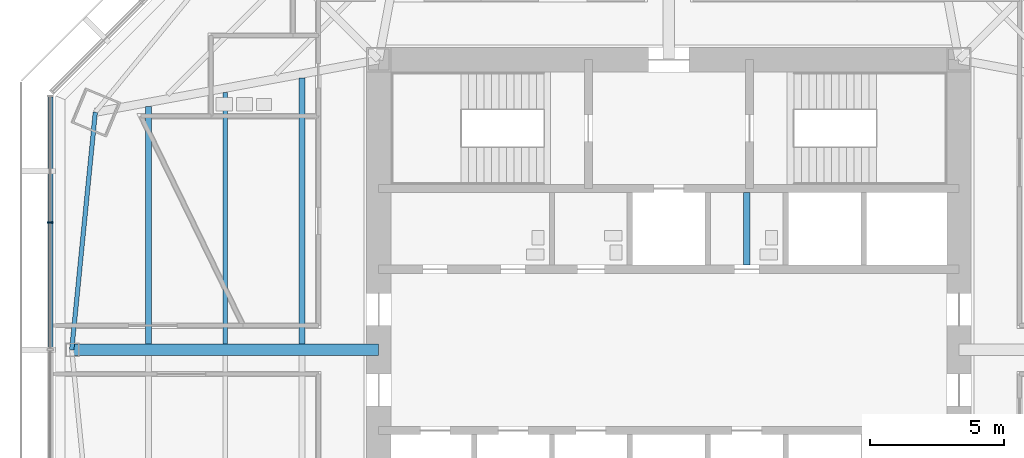
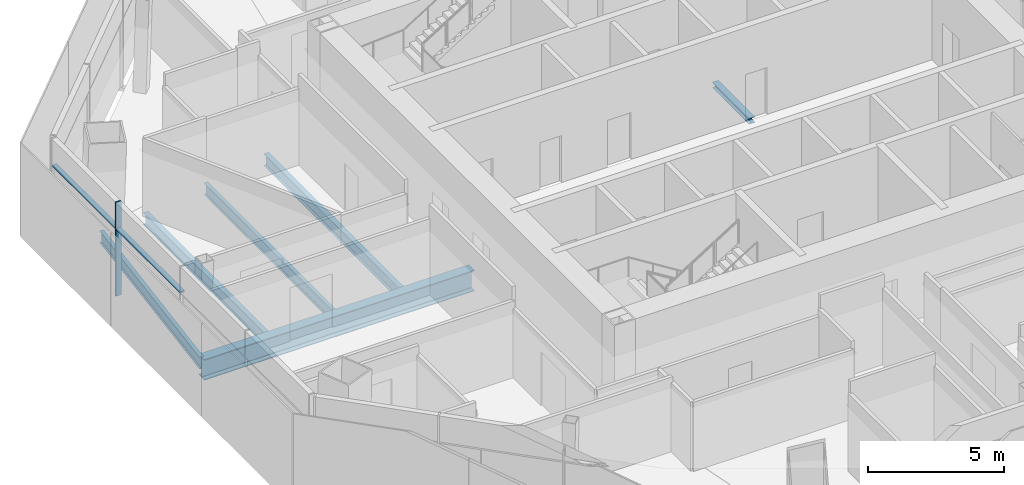
# One storey, part 3 of 15: 6 beams, 3 members, 1 element without a shape of its own.
"""IFC4 building model written with IfcOpenShell, lengths in metres."""

from ifc_helpers import new_model, si_unit, direction, frame, origin, origin_2d, place, context, subcontext, project, spatial, rectangle, i_section, extrude, source, transform, mapped, material, material_profile, profile_set, type_object, type_shapes, element, aggregate, save


model = new_model("IFC4")

# Units and contexts
model_context = context("Model", 3, precision=1e-05, world=origin(), true_north=direction((0.0, 1.0)))
body_context = subcontext(model_context, "Body", "Model", "MODEL_VIEW")
ifc_project = project(units=[si_unit("LENGTHUNIT", "METRE"), si_unit("AREAUNIT", "SQUARE_METRE"), si_unit("VOLUMEUNIT", "CUBIC_METRE"), si_unit("PLANEANGLEUNIT", "RADIAN"), si_unit("MASSUNIT", "GRAM", prefix="KILO")], contexts=[model_context])

# Site, building, storey
site_placement = place(None, origin())
site = spatial("IfcSite", under=ifc_project, at=site_placement, CompositionType="ELEMENT")
building_placement = place(site_placement, origin())
building = spatial("IfcBuilding", under=site, at=building_placement, Name="Mashrafa Tower", CompositionType="ELEMENT")
storey_placement = place(building_placement, frame((0.0, 0.0, 176.39990234375)))
storey = spatial("IfcBuildingStorey", under=building, at=storey_placement, Name="L40", CompositionType="ELEMENT", Elevation=176.39990234375)

# Beams
ifc_material_1 = material(Name="Steel ASTM A992", Category="steel")
ifc_material_profile_1 = material_profile(ifc_material_1, i_section(OverallWidth=0.1650390625, OverallDepth=0.52587890625, WebThickness=0.0087890625, FlangeThickness=0.011474609375, FilletRadius=0.0126953125, at=origin_2d()), Name="W21X44")
ifc_profile_set_1 = profile_set([ifc_material_profile_1], Name="Steel ASTM A992")
beam_type_1 = type_object("IfcBeamType", Name="Beam W21X44", PredefinedType="BEAM", material=ifc_profile_set_1)
beam_1_placement = place(storey_placement, frame((-16.5146484375, 0.20947265625, -0.427734375), z_axis=(0.0, 1.0, 0.0), x_axis=(-1.0, 0.0, 0.0)))
element("IfcBeam", 1, at=beam_1_placement, inside=storey, type_object=beam_type_1, Name="Floor beam L40 005", PredefinedType="BEAM", context=body_context, shape_type="SweptSolid", body=[
    extrude(i_section(OverallWidth=0.1650390625, OverallDepth=0.52587890625, WebThickness=0.0087890625, FlangeThickness=0.011474609375, FilletRadius=0.0126953125, at=origin_2d()), origin(), (0.0, 0.0, 1.0), 9.374755859375),
])
beam_2_placement = place(storey_placement, frame((-21.35107421875, 8.843994140625, -0.427734375), z_axis=(-0.098810141474, -0.99510630384, 0.0), x_axis=(0.99510630384, -0.098810141474, 0.0)))
element("IfcBeam", 2, at=beam_2_placement, inside=storey, type_object=beam_type_1, Name="Spandrel beam L40 059", PredefinedType="BEAM", context=body_context, shape_type="SweptSolid", body=[
    extrude(i_section(OverallWidth=0.1650390625, OverallDepth=0.52587890625, WebThickness=0.0087890625, FlangeThickness=0.011474609375, FilletRadius=0.0126953125, at=origin_2d()), origin(), (0.0, 0.0, 1.0), 8.887451171875),
])
ifc_material_2 = material(Name="Steel ASTM A992", Category="steel")
ifc_material_profile_2 = material_profile(ifc_material_2, i_section(OverallWidth=0.209228515625, OverallDepth=0.533447265625, WebThickness=0.01025390625, FlangeThickness=0.015625, FilletRadius=0.012939453125, at=origin_2d()), Name="W21X62")
ifc_profile_set_2 = profile_set([ifc_material_profile_2], Name="Steel ASTM A992")
beam_type_2 = type_object("IfcBeamType", Name="Beam W21X62", PredefinedType="BEAM", material=ifc_profile_set_2)
beam_3_placement = place(storey_placement, frame((-19.3720703125, 0.20947265625, -0.431640625), z_axis=(0.0, 1.0, 0.0), x_axis=(-1.0, 0.0, 0.0)))
element("IfcBeam", 3, at=beam_3_placement, inside=storey, type_object=beam_type_2, Name="Floor beam L40 002", PredefinedType="BEAM", context=body_context, shape_type="SweptSolid", body=[
    extrude(i_section(OverallWidth=0.209228515625, OverallDepth=0.533447265625, WebThickness=0.01025390625, FlangeThickness=0.015625, FilletRadius=0.012939453125, at=origin_2d()), origin(), (0.0, 0.0, 1.0), 8.844970703125),
])
beam_4_placement = place(storey_placement, frame((-13.6572265625, 0.20947265625, -0.431640625), z_axis=(0.0, 1.0, 0.0), x_axis=(-1.0, 0.0, 0.0)))
element("IfcBeam", 4, at=beam_4_placement, inside=storey, type_object=beam_type_2, Name="Floor beam L40 010", PredefinedType="BEAM", context=body_context, shape_type="SweptSolid", body=[
    extrude(i_section(OverallWidth=0.209228515625, OverallDepth=0.533447265625, WebThickness=0.01025390625, FlangeThickness=0.015625, FilletRadius=0.012939453125, at=origin_2d()), origin(), (0.0, 0.0, 1.0), 9.904541015625),
])
ifc_material_3 = material(Name="Steel ASTM A992", Category="steel")
ifc_material_profile_3 = material_profile(ifc_material_3, i_section(OverallWidth=0.419189453125, OverallDepth=0.927001953125, WebThickness=0.019287109375, FlangeThickness=0.031982421875, FilletRadius=0.020263671875, at=origin_2d()), Name="W36X231")
ifc_profile_set_3 = profile_set([ifc_material_profile_3], Name="Steel ASTM A992")
beam_type_3 = type_object("IfcBeamType", Name="Beam W36X231", PredefinedType="BEAM", material=ifc_profile_set_3)
beam_5_placement = place(storey_placement, frame((-10.800048828125, 0.0, -0.62841796875), z_axis=(-1.0, 0.0, 0.0), x_axis=(0.0, -1.0, 0.0)))
element("IfcBeam", 5, at=beam_5_placement, inside=storey, type_object=beam_type_3, Name="Radial girder L40 044", PredefinedType="BEAM", context=body_context, shape_type="SweptSolid", body=[
    extrude(i_section(OverallWidth=0.419189453125, OverallDepth=0.927001953125, WebThickness=0.019287109375, FlangeThickness=0.031982421875, FilletRadius=0.020263671875, at=origin_2d()), origin(), (0.0, 0.0, 1.0), 11.42919921875),
])
ifc_material_4 = material(Name="Steel ASTM A992", Category="steel")
ifc_material_profile_4 = material_profile(ifc_material_4, i_section(OverallWidth=0.25390625, OverallDepth=0.25390625, WebThickness=0.008544921875, FlangeThickness=0.01416015625, FilletRadius=0.010009765625, at=origin_2d()), Name="W10X49")
ifc_profile_set_4 = profile_set([ifc_material_profile_4], Name="Steel ASTM A992")
beam_type_4 = type_object("IfcBeamType", Name="Hoistway beam W10X49", PredefinedType="BEAM", material=ifc_profile_set_4)
beam_6_placement = place(storey_placement, frame((2.89990234375, 3.14990234375, -0.2919921875), z_axis=(0.0, 1.0, 0.0), x_axis=(-1.0, 0.0, 0.0)))
element("IfcBeam", 6, at=beam_6_placement, inside=storey, type_object=beam_type_4, Name="Hoistway beam L40 06", PredefinedType="BEAM", context=body_context, shape_type="SweptSolid", body=[
    extrude(i_section(OverallWidth=0.25390625, OverallDepth=0.25390625, WebThickness=0.008544921875, FlangeThickness=0.01416015625, FilletRadius=0.010009765625, at=origin_2d()), origin(), (0.0, 0.0, 1.0), 2.7001953125),
])

# Curtain wall, members
ifc_material_5 = material(Name="Unitised aluminium curtain wall", Category="aluminium")
curtain_wall_type = type_object("IfcCurtainWallType", Name="Office curtain wall, zone 2 CW-B 225 deep", PredefinedType="NOTDEFINED", material=ifc_material_5)
curtain_wall_placement = place(storey_placement, origin())
curtain_wall = element("IfcCurtainWall", 7, at=curtain_wall_placement, inside=storey, type_object=curtain_wall_type, Name="Office curtain wall, zone 2 L40 west", PredefinedType="NOTDEFINED")
ifc_material_6 = material(Name="Extruded aluminium mullion", Category="aluminium")
ifc_material_profile_5 = material_profile(ifc_material_6, rectangle(XDim=0.22509765625, YDim=0.06494140625, at=origin_2d()), Name="Mullion 65x225")
ifc_profile_set_5 = profile_set([ifc_material_profile_5], Name="Extruded aluminium mullion")
member_type_1 = type_object("IfcMemberType", Name="Mullion CW-B 65 x 225", PredefinedType="MULLION", material=ifc_profile_set_5)
shared_shape_1 = source(origin(), body_context, "Body", "SweptSolid", [
    extrude(rectangle(XDim=0.22509765625, YDim=0.06494140625, at=origin_2d()), origin(), (0.0, 0.0, 1.0), 4.2001953125),
])
type_shapes(member_type_1, [shared_shape_1])
member_1_placement = place(storey_placement, frame((-23.024658203125, 4.740234375, 0.0), z_axis=(0.0, 0.0, 1.0), x_axis=(1.0, 0.0, 0.0)))
member_1 = element("IfcMember", 8, at=member_1_placement, type_object=member_type_1, Name="CW-B mullion 2", PredefinedType="MULLION", context=body_context, shape_type="MappedRepresentation", body=[
    mapped(shared_shape_1, transform((0.0, 0.0, 0.0))),
])
ifc_material_7 = material(Name="Extruded aluminium transom", Category="aluminium")
ifc_material_profile_6 = material_profile(ifc_material_7, rectangle(XDim=0.179931640625, YDim=0.080078125, at=origin_2d()), Name="Transom 80x180")
ifc_profile_set_6 = profile_set([ifc_material_profile_6], Name="Extruded aluminium transom")
member_type_2 = type_object("IfcMemberType", Name="Transom CW-B 80 x 180", PredefinedType="MULLION", material=ifc_profile_set_6)
shared_shape_2 = source(origin(), body_context, "Body", "SweptSolid", [
    extrude(rectangle(XDim=0.179931640625, YDim=0.080078125, at=origin_2d()), origin(), (0.0, 0.0, 1.0), 4.642822265625),
])
member_2_placement = place(storey_placement, frame((-23.024658203125, 9.41552734375, 3.0), z_axis=(0.0, -1.0, 0.0), x_axis=(1.0, 0.0, 0.0)))
member_2 = element("IfcMember", 9, at=member_2_placement, type_object=member_type_2, Name="CW-B transom 1", PredefinedType="MULLION", context=body_context, shape_type="MappedRepresentation", body=[
    mapped(shared_shape_2, transform((0.0, 0.0, 0.0))),
])
shared_shape_3 = source(origin(), body_context, "Body", "SweptSolid", [
    extrude(rectangle(XDim=0.179931640625, YDim=0.080078125, at=origin_2d()), origin(), (0.0, 0.0, 1.0), 4.67529296875),
])
type_shapes(member_type_2, [shared_shape_2, shared_shape_3])
member_3_placement = place(storey_placement, frame((-23.024658203125, 4.707763671875, 3.0), z_axis=(0.0, -1.0, 0.0), x_axis=(1.0, 0.0, 0.0)))
member_3 = element("IfcMember", 10, at=member_3_placement, type_object=member_type_2, Name="CW-B transom 2", PredefinedType="MULLION", context=body_context, shape_type="MappedRepresentation", body=[
    mapped(shared_shape_3, transform((0.0, 0.0, 0.0))),
])
aggregate(curtain_wall, [member_1, member_2, member_3])

save(model, "model.ifc")
